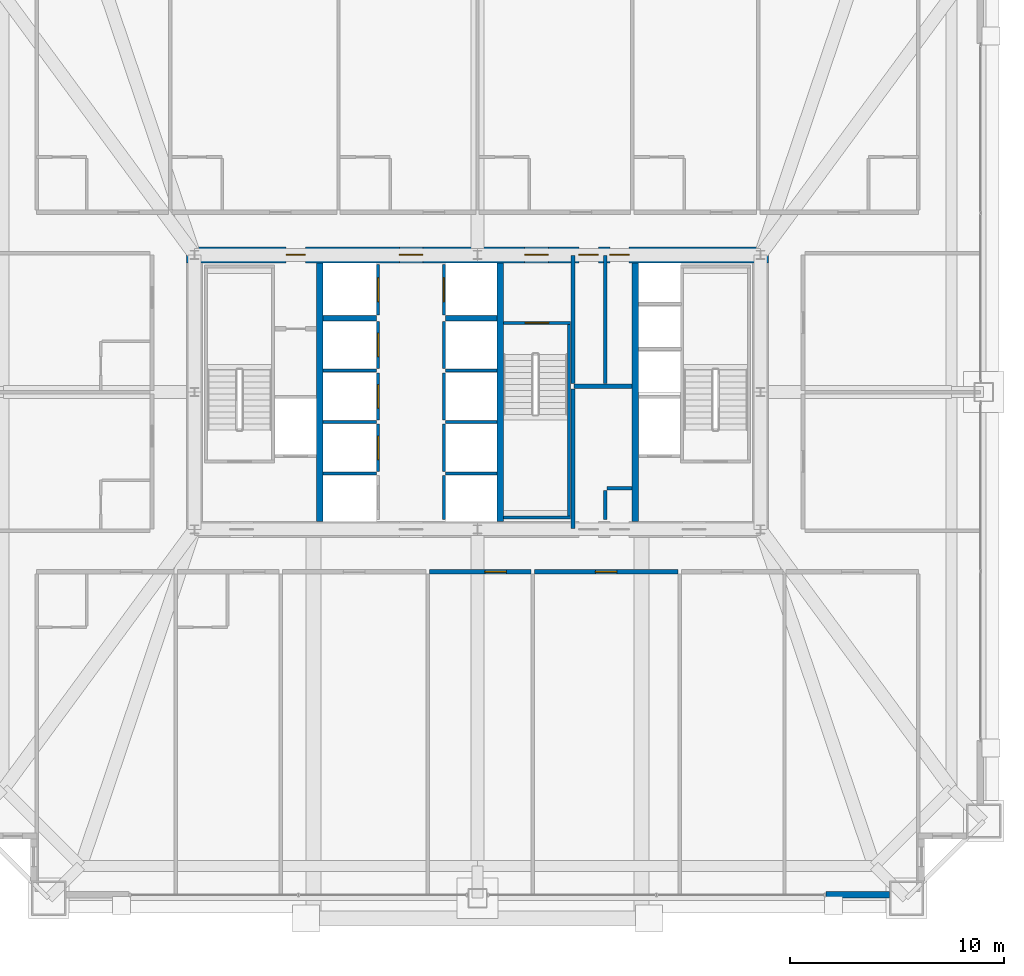
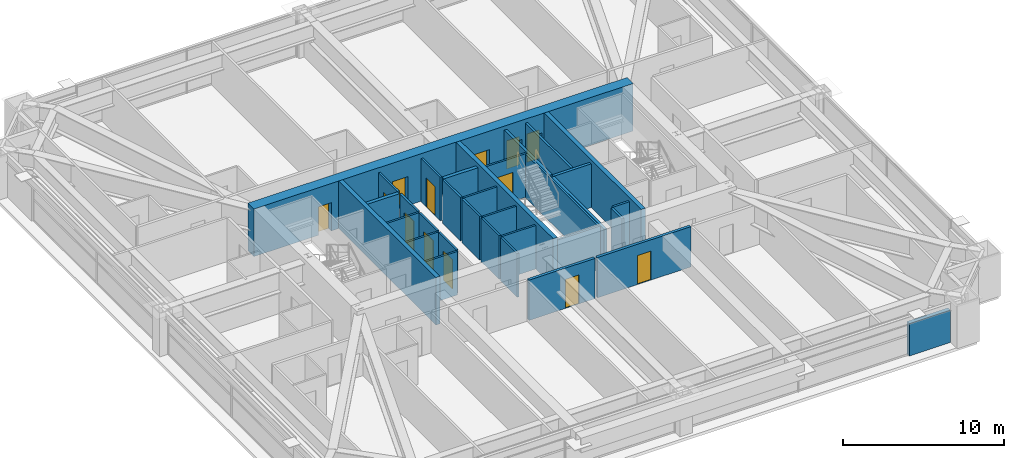
# One storey, part 42 of 45: 33 walls, 13 doors, 13 openings.
"""IFC4 building model written with IfcOpenShell, lengths in metres."""

from ifc_helpers import new_model, si_unit, direction, frame, frame_2d, origin, place, context, subcontext, project, spatial, rectangle, extrude, source, transform, mapped, material, layer, layer_set, type_object, element, fill, save


model = new_model("IFC4")

# Units and contexts
model_context = context("Model", 3, precision=1e-05, world=origin(), true_north=direction((0.0, 1.0)))
body_context = subcontext(model_context, "Body", "Model", "MODEL_VIEW")
ifc_project = project(units=[si_unit("LENGTHUNIT", "METRE"), si_unit("AREAUNIT", "SQUARE_METRE"), si_unit("VOLUMEUNIT", "CUBIC_METRE"), si_unit("PLANEANGLEUNIT", "RADIAN"), si_unit("MASSUNIT", "GRAM", prefix="KILO"), si_unit("THERMODYNAMICTEMPERATUREUNIT", "KELVIN"), si_unit("POWERUNIT", "WATT")], contexts=[model_context])

# Site, building, storey
site_placement = place(None, origin())
site = spatial("IfcSite", under=ifc_project, at=site_placement, CompositionType="ELEMENT")
building_placement = place(site_placement, origin())
building = spatial("IfcBuilding", under=site, at=building_placement, Name="Yuzanri Waterfront Tower", CompositionType="ELEMENT")
storey_placement = place(building_placement, frame((0.0, 0.0, 163.199951171875)))
storey = spatial("IfcBuildingStorey", under=building, at=storey_placement, Name="L43", CompositionType="ELEMENT", Elevation=163.199951171875)

# Wall, openings, doors
ifc_material_1 = material(Name="Concrete C55", Category="concrete")
ifc_layer_1 = layer(ifc_material_1, 0.75)
ifc_layer_set_1 = layer_set([ifc_layer_1], Name="Concrete C55")
wall_type_1 = type_object("IfcWallType", Name="Concrete C55 Low-Mid Zone Core Shear Wall 750", PredefinedType="SHEAR", material=ifc_layer_set_1)
wall_1_placement = place(storey_placement, frame((23.425048828125, 32.199951171875, 0.0), z_axis=(0.0, 0.0, 1.0), x_axis=(1.0, 0.0, 0.0)))
wall_1 = element("IfcWall", 1, at=wall_1_placement, inside=storey, type_object=wall_type_1, Name="L43 Core North Shear Wall", PredefinedType="SHEAR", context=body_context, shape_type="SweptSolid", body=[
    extrude(rectangle(XDim=27.14990234375, YDim=0.75, at=frame_2d((13.574951171875, 0.0))), origin(), (0.0, 0.0, 1.0), 3.60009765625),
])
opening_1_placement = place(wall_1_placement, frame((4.64501953125, 0.0, 0.0)))
opening_1 = element("IfcOpeningElement", 2, at=opening_1_placement, cuts=wall_1, Name="Opening FD-0900", PredefinedType="OPENING", context=body_context, shape_type="SweptSolid", body=[
    extrude(rectangle(XDim=0.89990234375, YDim=2.14990234375, at=frame_2d((0.449951171875, 1.074951171875))), frame((0.0, 0.389892578125, 0.0), z_axis=(0.0, -1.0, 0.0), x_axis=(1.0, 0.0, 0.0)), (0.0, 0.0, 1.0), 0.77978515625),
])
opening_2_placement = place(wall_1_placement, frame((9.925048828125, 0.0, 0.0)))
opening_2 = element("IfcOpeningElement", 3, at=opening_2_placement, cuts=wall_1, Name="Opening FD-1100", PredefinedType="OPENING", context=body_context, shape_type="SweptSolid", body=[
    extrude(rectangle(XDim=1.10009765625, YDim=2.199951171875, at=frame_2d((0.550048828125, 1.10009765625))), frame((0.0, 0.389892578125, 0.0), z_axis=(0.0, -1.0, 0.0), x_axis=(1.0, 0.0, 0.0)), (0.0, 0.0, 1.0), 0.77978515625),
])
opening_3_placement = place(wall_1_placement, frame((15.77490234375, 0.0, 0.0)))
opening_3 = element("IfcOpeningElement", 4, at=opening_3_placement, cuts=wall_1, Name="Opening FD-1100", PredefinedType="OPENING", context=body_context, shape_type="SweptSolid", body=[
    extrude(rectangle(XDim=1.10009765625, YDim=2.199951171875, at=frame_2d((0.550048828125, 1.10009765625))), frame((0.0, 0.389892578125, 0.0), z_axis=(0.0, -1.0, 0.0), x_axis=(1.0, 0.0, 0.0)), (0.0, 0.0, 1.0), 0.77978515625),
])
opening_4_placement = place(wall_1_placement, frame((18.304931640625, 0.0, 0.0)))
opening_4 = element("IfcOpeningElement", 5, at=opening_4_placement, cuts=wall_1, Name="Opening FD-0900", PredefinedType="OPENING", context=body_context, shape_type="SweptSolid", body=[
    extrude(rectangle(XDim=0.89990234375, YDim=2.14990234375, at=frame_2d((0.449951171875, 1.074951171875))), frame((0.0, 0.389892578125, 0.0), z_axis=(0.0, -1.0, 0.0), x_axis=(1.0, 0.0, 0.0)), (0.0, 0.0, 1.0), 0.77978515625),
])
opening_5_placement = place(wall_1_placement, frame((19.7451171875, 0.0, 0.0)))
opening_5 = element("IfcOpeningElement", 6, at=opening_5_placement, cuts=wall_1, Name="Opening FD-0900", PredefinedType="OPENING", context=body_context, shape_type="SweptSolid", body=[
    extrude(rectangle(XDim=0.89990234375, YDim=2.14990234375, at=frame_2d((0.449951171875, 1.074951171875))), frame((0.0, 0.389892578125, 0.0), z_axis=(0.0, -1.0, 0.0), x_axis=(1.0, 0.0, 0.0)), (0.0, 0.0, 1.0), 0.77978515625),
])
ifc_material_2 = material(Name="Painted Galvanized Fire Steel", Category="steel")
door_type_1 = type_object("IfcDoorType", Name="Smoke-Proof Stair and Lobby Fire Door 1100x2200", OperationType="NOTDEFINED", PredefinedType="DOOR", material=ifc_material_2)
shared_shape_1 = source(origin(), body_context, "Body", "SweptSolid", [
    extrude(rectangle(XDim=1.10009765625, YDim=2.199951171875, at=frame_2d((0.550048828125, 1.10009765625))), frame((0.0, 0.02490234375, 0.0), z_axis=(0.0, -1.0, 0.0), x_axis=(1.0, 0.0, 0.0)), (0.0, 0.0, 1.0), 0.050048828125),
])
door_1_placement = place(opening_2_placement, origin())
door_1 = element("IfcDoor", 7, at=door_1_placement, inside=storey, type_object=door_type_1, Name="L43 Central Lift Lobby North Door", OperationType="SINGLE_SWING_RIGHT", OverallHeight=2.199951171875, OverallWidth=1.10009765625, PredefinedType="DOOR", context=body_context, shape_type="MappedRepresentation", body=[
    mapped(shared_shape_1, transform((0.0, 0.0, 0.0), scale=1.0)),
])
fill(opening_2, door_1)
door_2_placement = place(opening_3_placement, origin())
door_2 = element("IfcDoor", 8, at=door_2_placement, inside=storey, type_object=door_type_1, Name="L43 North Stair Lobby Door", OperationType="SINGLE_SWING_LEFT", OverallHeight=2.199951171875, OverallWidth=1.10009765625, PredefinedType="DOOR", context=body_context, shape_type="MappedRepresentation", body=[
    mapped(shared_shape_1, transform((0.0, 0.0, 0.0), scale=1.0)),
])
fill(opening_3, door_2)
ifc_material_3 = material(Name="Painted Galvanized Fire Steel", Category="steel")
door_type_2 = type_object("IfcDoorType", Name="Riser and Service Room Fire Door 900x2150", OperationType="NOTDEFINED", PredefinedType="DOOR", material=ifc_material_3)
shared_shape_2 = source(origin(), body_context, "Body", "SweptSolid", [
    extrude(rectangle(XDim=0.89990234375, YDim=2.14990234375, at=frame_2d((0.449951171875, 1.074951171875))), frame((0.0, 0.02490234375, 0.0), z_axis=(0.0, -1.0, 0.0), x_axis=(1.0, 0.0, 0.0)), (0.0, 0.0, 1.0), 0.050048828125),
])
door_3_placement = place(opening_1_placement, origin())
door_3 = element("IfcDoor", 9, at=door_3_placement, inside=storey, type_object=door_type_2, Name="L43 Telecom Riser Door", OperationType="SINGLE_SWING_LEFT", OverallHeight=2.14990234375, OverallWidth=0.89990234375, PredefinedType="DOOR", context=body_context, shape_type="MappedRepresentation", body=[
    mapped(shared_shape_2, transform((0.0, 0.0, 0.0), scale=1.0)),
])
fill(opening_1, door_3)
door_4_placement = place(opening_4_placement, origin())
door_4 = element("IfcDoor", 10, at=door_4_placement, inside=storey, type_object=door_type_2, Name="L43 Common Store Room", OperationType="SINGLE_SWING_LEFT", OverallHeight=2.14990234375, OverallWidth=0.89990234375, PredefinedType="DOOR", context=body_context, shape_type="MappedRepresentation", body=[
    mapped(shared_shape_2, transform((0.0, 0.0, 0.0), scale=1.0)),
])
fill(opening_4, door_4)
door_5_placement = place(opening_5_placement, origin())
door_5 = element("IfcDoor", 11, at=door_5_placement, inside=storey, type_object=door_type_2, Name="L43 Linen Store Room", OperationType="SINGLE_SWING_RIGHT", OverallHeight=2.14990234375, OverallWidth=0.89990234375, PredefinedType="DOOR", context=body_context, shape_type="MappedRepresentation", body=[
    mapped(shared_shape_2, transform((0.0, 0.0, 0.0), scale=1.0)),
])
fill(opening_5, door_5)

# Wall, opening, door
ifc_material_4 = material(Name="Concrete C40", Category="concrete")
ifc_layer_2 = layer(ifc_material_4, 0.139892578125)
ifc_layer_set_2 = layer_set([ifc_layer_2], Name="Concrete C40")
wall_type_2 = type_object("IfcWallType", Name="Core Stair Liner and Hoistway Shaft Wall 140", PredefinedType="SOLIDWALL", material=ifc_layer_set_2)
wall_2_placement = place(storey_placement, frame((32.3701171875, 22.10009765625, 0.0), z_axis=(0.0, 0.0, 1.0), x_axis=(0.0, 1.0, 0.0)))
wall_2 = element("IfcWall", 12, at=wall_2_placement, inside=storey, type_object=wall_type_2, Name="L43 Lift PL-02 Front Shaft Wall", PredefinedType="SOLIDWALL", context=body_context, shape_type="SweptSolid", body=[
    extrude(rectangle(XDim=2.199951171875, YDim=0.139892578125, at=frame_2d((1.10009765625, 0.0))), origin(), (0.0, 0.0, 1.0), 3.300048828125),
])
opening_6_placement = place(wall_2_placement, frame((0.550048828125, 0.0, 0.0)))
opening_6 = element("IfcOpeningElement", 13, at=opening_6_placement, cuts=wall_2, Name="Opening LD-PL-02", PredefinedType="OPENING", context=body_context, shape_type="SweptSolid", body=[
    extrude(rectangle(XDim=1.10009765625, YDim=2.199951171875, at=frame_2d((0.550048828125, 1.10009765625))), frame((0.0, 0.0849609375, 0.0), z_axis=(0.0, -1.0, 0.0), x_axis=(1.0, 0.0, 0.0)), (0.0, 0.0, 1.0), 0.169677734375),
])
ifc_material_5 = material(Name="Brushed Bronze and Stainless Steel Cab", Category="steel")
door_type_3 = type_object("IfcDoorType", Name="Center-Parting Bronze Lift Landing Sliding Door 1100x2200", OperationType="NOTDEFINED", PredefinedType="DOOR", material=ifc_material_5)
shared_shape_3 = source(origin(), body_context, "Body", "SweptSolid", [
    extrude(rectangle(XDim=1.10009765625, YDim=2.199951171875, at=frame_2d((0.550048828125, 1.10009765625))), frame((0.0, 0.02490234375, 0.0), z_axis=(0.0, -1.0, 0.0), x_axis=(1.0, 0.0, 0.0)), (0.0, 0.0, 1.0), 0.050048828125),
])
door_6_placement = place(opening_6_placement, origin())
door_6 = element("IfcDoor", 14, at=door_6_placement, inside=storey, type_object=door_type_3, Name="L43 PL-02 Lift Landing Sliding Door", OperationType="SLIDING_TO_RIGHT", OverallHeight=2.199951171875, OverallWidth=1.10009765625, PredefinedType="DOOR", context=body_context, shape_type="MappedRepresentation", body=[
    mapped(shared_shape_3, transform((0.0, 0.0, 0.0), scale=1.0)),
])
fill(opening_6, door_6)

wall_3_placement = place(storey_placement, frame((32.3701171875, 24.5, 0.0), z_axis=(0.0, 0.0, 1.0), x_axis=(0.0, 1.0, 0.0)))
wall_3 = element("IfcWall", 15, at=wall_3_placement, inside=storey, type_object=wall_type_2, Name="L43 Lift PL-03 Front Shaft Wall", PredefinedType="SOLIDWALL", context=body_context, shape_type="SweptSolid", body=[
    extrude(rectangle(XDim=2.199951171875, YDim=0.139892578125, at=frame_2d((1.10009765625, 0.0))), origin(), (0.0, 0.0, 1.0), 3.300048828125),
])
opening_7_placement = place(wall_3_placement, frame((0.550048828125, 0.0, 0.0)))
opening_7 = element("IfcOpeningElement", 16, at=opening_7_placement, cuts=wall_3, Name="Opening LD-PL-03", PredefinedType="OPENING", context=body_context, shape_type="SweptSolid", body=[
    extrude(rectangle(XDim=1.10009765625, YDim=2.199951171875, at=frame_2d((0.550048828125, 1.10009765625))), frame((0.0, 0.0849609375, 0.0), z_axis=(0.0, -1.0, 0.0), x_axis=(1.0, 0.0, 0.0)), (0.0, 0.0, 1.0), 0.169677734375),
])
door_7_placement = place(opening_7_placement, origin())
door_7 = element("IfcDoor", 17, at=door_7_placement, inside=storey, type_object=door_type_3, Name="L43 PL-03 Lift Landing Sliding Door", OperationType="SLIDING_TO_LEFT", OverallHeight=2.199951171875, OverallWidth=1.10009765625, PredefinedType="DOOR", context=body_context, shape_type="MappedRepresentation", body=[
    mapped(shared_shape_3, transform((0.0, 0.0, 0.0), scale=1.0)),
])
fill(opening_7, door_7)

wall_4_placement = place(storey_placement, frame((32.3701171875, 26.89990234375, 0.0), z_axis=(0.0, 0.0, 1.0), x_axis=(0.0, 1.0, 0.0)))
wall_4 = element("IfcWall", 18, at=wall_4_placement, inside=storey, type_object=wall_type_2, Name="L43 Lift PL-04 Front Shaft Wall", PredefinedType="SOLIDWALL", context=body_context, shape_type="SweptSolid", body=[
    extrude(rectangle(XDim=2.2001953125, YDim=0.139892578125, at=frame_2d((1.10009765625, 0.0))), origin(), (0.0, 0.0, 1.0), 3.300048828125),
])
opening_8_placement = place(wall_4_placement, frame((0.550048828125, 0.0, 0.0)))
opening_8 = element("IfcOpeningElement", 19, at=opening_8_placement, cuts=wall_4, Name="Opening LD-PL-04", PredefinedType="OPENING", context=body_context, shape_type="SweptSolid", body=[
    extrude(rectangle(XDim=1.10009765625, YDim=2.199951171875, at=frame_2d((0.550048828125, 1.10009765625))), frame((0.0, 0.0849609375, 0.0), z_axis=(0.0, -1.0, 0.0), x_axis=(1.0, 0.0, 0.0)), (0.0, 0.0, 1.0), 0.169677734375),
])
door_8_placement = place(opening_8_placement, origin())
door_8 = element("IfcDoor", 20, at=door_8_placement, inside=storey, type_object=door_type_3, Name="L43 PL-04 Lift Landing Sliding Door", OperationType="SLIDING_TO_RIGHT", OverallHeight=2.199951171875, OverallWidth=1.10009765625, PredefinedType="DOOR", context=body_context, shape_type="MappedRepresentation", body=[
    mapped(shared_shape_3, transform((0.0, 0.0, 0.0), scale=1.0)),
])
fill(opening_8, door_8)

wall_5_placement = place(storey_placement, frame((32.3701171875, 29.39990234375, 0.0), z_axis=(0.0, 0.0, 1.0), x_axis=(0.0, 1.0, 0.0)))
wall_5 = element("IfcWall", 21, at=wall_5_placement, inside=storey, type_object=wall_type_2, Name="L43 Lift SL-01 Front Shaft Wall", PredefinedType="SOLIDWALL", context=body_context, shape_type="SweptSolid", body=[
    extrude(rectangle(XDim=2.340087890625, YDim=0.139892578125, at=frame_2d((1.169921875, 0.0))), origin(), (0.0, 0.0, 1.0), 3.300048828125),
])
opening_9_placement = place(wall_5_placement, frame((0.6201171875, 0.0, 0.0)))
opening_9 = element("IfcOpeningElement", 22, at=opening_9_placement, cuts=wall_5, Name="Opening LD-SL-01", PredefinedType="OPENING", context=body_context, shape_type="SweptSolid", body=[
    extrude(rectangle(XDim=1.10009765625, YDim=2.199951171875, at=frame_2d((0.550048828125, 1.10009765625))), frame((0.0, 0.0849609375, 0.0), z_axis=(0.0, -1.0, 0.0), x_axis=(1.0, 0.0, 0.0)), (0.0, 0.0, 1.0), 0.169677734375),
])
door_9_placement = place(opening_9_placement, origin())
door_9 = element("IfcDoor", 23, at=door_9_placement, inside=storey, type_object=door_type_3, Name="L43 SL-01 Lift Landing Sliding Door", OperationType="SLIDING_TO_LEFT", OverallHeight=2.199951171875, OverallWidth=1.10009765625, PredefinedType="DOOR", context=body_context, shape_type="MappedRepresentation", body=[
    mapped(shared_shape_3, transform((0.0, 0.0, 0.0), scale=1.0)),
])
fill(opening_9, door_9)

wall_6_placement = place(storey_placement, frame((35.429931640625, 29.39990234375, 0.0), z_axis=(0.0, 0.0, 1.0), x_axis=(0.0, 1.0, 0.0)))
wall_6 = element("IfcWall", 24, at=wall_6_placement, inside=storey, type_object=wall_type_2, Name="L43 Lift SL-02 Front Shaft Wall", PredefinedType="SOLIDWALL", context=body_context, shape_type="SweptSolid", body=[
    extrude(rectangle(XDim=2.340087890625, YDim=0.139892578125, at=frame_2d((1.169921875, 0.0))), origin(), (0.0, 0.0, 1.0), 3.300048828125),
])
opening_10_placement = place(wall_6_placement, frame((0.6201171875, 0.0, 0.0)))
opening_10 = element("IfcOpeningElement", 25, at=opening_10_placement, cuts=wall_6, Name="Opening LD-SL-02", PredefinedType="OPENING", context=body_context, shape_type="SweptSolid", body=[
    extrude(rectangle(XDim=1.10009765625, YDim=2.199951171875, at=frame_2d((0.550048828125, 1.10009765625))), frame((0.0, 0.0849609375, 0.0), z_axis=(0.0, -1.0, 0.0), x_axis=(1.0, 0.0, 0.0)), (0.0, 0.0, 1.0), 0.169677734375),
])
door_10_placement = place(opening_10_placement, origin())
door_10 = element("IfcDoor", 26, at=door_10_placement, inside=storey, type_object=door_type_3, Name="L43 SL-02 Lift Landing Sliding Door", OperationType="SLIDING_TO_RIGHT", OverallHeight=2.199951171875, OverallWidth=1.10009765625, PredefinedType="DOOR", context=body_context, shape_type="MappedRepresentation", body=[
    mapped(shared_shape_3, transform((0.0, 0.0, 0.0), scale=1.0)),
])
fill(opening_10, door_10)

wall_7_placement = place(storey_placement, frame((38.199951171875, 29.030029296875, 0.0), z_axis=(0.0, 0.0, 1.0), x_axis=(1.0, 0.0, 0.0)))
wall_7 = element("IfcWall", 27, at=wall_7_placement, inside=storey, type_object=wall_type_2, Name="L43 Shaft Wall STW-L43-ST-03-N", PredefinedType="SOLIDWALL", context=body_context, shape_type="SweptSolid", body=[
    extrude(rectangle(XDim=3.14013671875, YDim=0.139892578125, at=frame_2d((1.570068359375, 0.0))), origin(), (0.0, 0.0, 1.0), 3.300048828125),
])
opening_11_placement = place(wall_7_placement, frame((1.02001953125, 0.0, 0.0)))
opening_11 = element("IfcOpeningElement", 28, at=opening_11_placement, cuts=wall_7, Name="Opening FD-1100", PredefinedType="OPENING", context=body_context, shape_type="SweptSolid", body=[
    extrude(rectangle(XDim=1.10009765625, YDim=2.199951171875, at=frame_2d((0.550048828125, 1.10009765625))), frame((0.0, 0.0849609375, 0.0), z_axis=(0.0, -1.0, 0.0), x_axis=(1.0, 0.0, 0.0)), (0.0, 0.0, 1.0), 0.169677734375),
])
door_11_placement = place(opening_11_placement, origin())
door_11 = element("IfcDoor", 29, at=door_11_placement, inside=storey, type_object=door_type_1, Name="L43 Stair ST-03 Fire Door", OperationType="SINGLE_SWING_LEFT", OverallHeight=2.199951171875, OverallWidth=1.10009765625, PredefinedType="DOOR", context=body_context, shape_type="MappedRepresentation", body=[
    mapped(shared_shape_1, transform((0.0, 0.0, 0.0), scale=1.0)),
])
fill(opening_11, door_11)

ifc_material_6 = material(Name="Autoclaved Aerated Concrete Blockwork", Category="masonry")
ifc_layer_3 = layer(ifc_material_6, 0.199951171875)
ifc_layer_set_3 = layer_set([ifc_layer_3], Name="Autoclaved Aerated Concrete Blockwork")
wall_type_3 = type_object("IfcWallType", Name="Corridor and Unit Party Fire Wall 200", PredefinedType="PARTITIONING", material=ifc_layer_set_3)
wall_8_placement = place(storey_placement, frame((34.760009765625, 17.419921875, 0.0), z_axis=(0.0, 0.0, 1.0), x_axis=(1.0, 0.0, 0.0)))
wall_8 = element("IfcWall", 30, at=wall_8_placement, inside=storey, type_object=wall_type_3, Name="L43 Partition UW-L43-S4-CN", PredefinedType="PARTITIONING", context=body_context, shape_type="SweptSolid", body=[
    extrude(rectangle(XDim=4.72705078125, YDim=0.199951171875, at=frame_2d((2.363525390625, 0.0))), origin(), (0.0, 0.0, 1.0), 3.050048828125),
])
opening_12_placement = place(wall_8_placement, frame((2.58349609375, 0.0, 0.0)))
opening_12 = element("IfcOpeningElement", 31, at=opening_12_placement, cuts=wall_8, Name="Opening FD-1000", PredefinedType="OPENING", context=body_context, shape_type="SweptSolid", body=[
    extrude(rectangle(XDim=1.0, YDim=2.199951171875, at=frame_2d((0.5, 1.10009765625))), frame((0.0, 0.11474609375, 0.0), z_axis=(0.0, -1.0, 0.0), x_axis=(1.0, 0.0, 0.0)), (0.0, 0.0, 1.0), 0.229736328125),
])
ifc_material_7 = material(Name="Engineered Oak Fire-Rated Timber", Category="wood")
door_type_4 = type_object("IfcDoorType", Name="Guestroom and Apartment Entrance Fire Door 1000x2200", OperationType="NOTDEFINED", PredefinedType="DOOR", material=ifc_material_7)
shared_shape_4 = source(origin(), body_context, "Body", "SweptSolid", [
    extrude(rectangle(XDim=1.0, YDim=2.199951171875, at=frame_2d((0.5, 1.10009765625))), frame((0.0, 0.02490234375, 0.0), z_axis=(0.0, -1.0, 0.0), x_axis=(1.0, 0.0, 0.0)), (0.0, 0.0, 1.0), 0.050048828125),
])
door_12_placement = place(opening_12_placement, origin())
door_12 = element("IfcDoor", 32, at=door_12_placement, inside=storey, type_object=door_type_4, Name="L43 Chamber Music Room Entrance Door", OperationType="SINGLE_SWING_RIGHT", OverallHeight=2.199951171875, OverallWidth=1.0, PredefinedType="DOOR", context=body_context, shape_type="MappedRepresentation", body=[
    mapped(shared_shape_4, transform((0.0, 0.0, 0.0), scale=1.0)),
])
fill(opening_12, door_12)

wall_9_placement = place(storey_placement, frame((39.64697265625, 17.419921875, 0.0), z_axis=(0.0, 0.0, 1.0), x_axis=(1.0, 0.0, 0.0)))
wall_9 = element("IfcWall", 33, at=wall_9_placement, inside=storey, type_object=wall_type_3, Name="L43 Partition UW-L43-S5-CN", PredefinedType="PARTITIONING", context=body_context, shape_type="SweptSolid", body=[
    extrude(rectangle(XDim=6.700927734375, YDim=0.199951171875, at=frame_2d((3.3505859375, 0.0))), origin(), (0.0, 0.0, 1.0), 3.050048828125),
])
opening_13_placement = place(wall_9_placement, frame((2.85107421875, 0.0, 0.0)))
opening_13 = element("IfcOpeningElement", 34, at=opening_13_placement, cuts=wall_9, Name="Opening FD-1000", PredefinedType="OPENING", context=body_context, shape_type="SweptSolid", body=[
    extrude(rectangle(XDim=1.0, YDim=2.199951171875, at=frame_2d((0.5, 1.10009765625))), frame((0.0, 0.11474609375, 0.0), z_axis=(0.0, -1.0, 0.0), x_axis=(1.0, 0.0, 0.0)), (0.0, 0.0, 1.0), 0.229736328125),
])
door_13_placement = place(opening_13_placement, origin())
door_13 = element("IfcDoor", 35, at=door_13_placement, inside=storey, type_object=door_type_4, Name="L43 Riverfront Art Gallery Entrance Door", OperationType="SINGLE_SWING_LEFT", OverallHeight=2.199951171875, OverallWidth=1.0, PredefinedType="DOOR", context=body_context, shape_type="MappedRepresentation", body=[
    mapped(shared_shape_4, transform((0.0, 0.0, 0.0), scale=1.0)),
])
fill(opening_13, door_13)

# Walls
ifc_material_8 = material(Name="Concrete C50", Category="concrete")
ifc_layer_4 = layer(ifc_material_8, 0.300048828125)
ifc_layer_set_4 = layer_set([ifc_layer_4], Name="Concrete C50")
wall_type_4 = type_object("IfcWallType", Name="Concrete C50 Internal Core Shaft Structural Wall 300", PredefinedType="SOLIDWALL", material=ifc_layer_set_4)
shared_shape_5 = source(origin(), body_context, "Body", "SweptSolid", [
    extrude(rectangle(XDim=12.050048828125, YDim=0.300048828125, at=frame_2d((6.02490234375, 0.0))), origin(), (0.0, 0.0, 1.0), 3.60009765625),
])
for number, where, z_axis, x_axis, name in (
    (36, (29.64990234375, 19.77490234375, 0.0), (0.0, 0.0, 1.0), (0.0, 1.0, 0.0), "L43 Core Internal Structural Web Wall 1"),
    (37, (38.050048828125, 19.77490234375, 0.0), (0.0, 0.0, 1.0), (0.0, 1.0, 0.0), "L43 Core Internal Structural Web Wall 2"),
    (38, (44.35009765625, 19.77490234375, 0.0), (0.0, 0.0, 1.0), (0.0, 1.0, 0.0), "L43 Core Internal Structural Web Wall 3"),
):
    element("IfcWall", number, at=place(storey_placement, frame(where, z_axis=z_axis, x_axis=x_axis)), inside=storey, type_object=wall_type_4, Name=name, PredefinedType="SOLIDWALL", context=body_context, shape_type="MappedRepresentation", body=[
        mapped(shared_shape_5, transform((0.0, 0.0, 0.0), scale=1.0)),
    ])
ifc_material_9 = material(Name="Honed Chongqing Dark Basalt Stone", Category="masonry")
ifc_layer_5 = layer(ifc_material_9, 0.300048828125)
ifc_layer_set_5 = layer_set([ifc_layer_5], Name="Honed Chongqing Dark Basalt Stone")
wall_type_5 = type_object("IfcWallType", Name="Bronze Rainscreen Insulated Spandrel Portal Wall 300", PredefinedType="SOLIDWALL", material=ifc_layer_set_5)
shared_shape_6 = source(origin(), body_context, "Body", "SweptSolid", [
    extrude(rectangle(XDim=2.949951171875, YDim=0.300048828125, at=frame_2d((1.47509765625, 0.0))), origin(), (0.0, 0.0, 1.0), 2.445068359375),
])
wall_10_placement = place(storey_placement, frame((53.25, 2.35009765625, 0.0), z_axis=(0.0, 0.0, 1.0), x_axis=(1.0, 0.0, 0.0)))
element("IfcWall", 39, at=wall_10_placement, inside=storey, type_object=wall_type_5, Name="L43 S Right Braced Masonry Shoulder", PredefinedType="SOLIDWALL", context=body_context, shape_type="MappedRepresentation", body=[
    mapped(shared_shape_6, transform((0.0, 0.0, 0.0), scale=1.0)),
])
shared_shape_7 = source(origin(), body_context, "Body", "SweptSolid", [
    extrude(rectangle(XDim=2.5, YDim=0.139892578125, at=frame_2d((1.25, 0.0))), origin(), (0.0, 0.0, 1.0), 3.300048828125),
])
for number, where, z_axis, x_axis, name in (
    (40, (29.800048828125, 22.0, 0.0), (0.0, 0.0, 1.0), (1.0, 0.0, 0.0), "L43 Lift PL-01 Divider Wall"),
    (41, (29.800048828125, 24.39990234375, 0.0), (0.0, 0.0, 1.0), (1.0, 0.0, 0.0), "L43 Lift PL-02 Divider Wall"),
    (42, (29.800048828125, 26.800048828125, 0.0), (0.0, 0.0, 1.0), (1.0, 0.0, 0.0), "L43 Lift PL-03 Divider Wall"),
):
    element("IfcWall", number, at=place(storey_placement, frame(where, z_axis=z_axis, x_axis=x_axis)), inside=storey, type_object=wall_type_2, Name=name, PredefinedType="SOLIDWALL", context=body_context, shape_type="MappedRepresentation", body=[
        mapped(shared_shape_7, transform((0.0, 0.0, 0.0), scale=1.0)),
    ])
ifc_material_10 = material(Name="Concrete C40", Category="concrete")
ifc_layer_6 = layer(ifc_material_10, 0.25)
ifc_layer_set_6 = layer_set([ifc_layer_6], Name="Concrete C40")
wall_type_6 = type_object("IfcWallType", Name="Smoke-Proof Stair and Lift Shaft Wall 250", PredefinedType="SOLIDWALL", material=ifc_layer_set_6)
shared_shape_8 = source(origin(), body_context, "Body", "SweptSolid", [
    extrude(rectangle(XDim=2.5, YDim=0.25, at=frame_2d((1.25, 0.0))), origin(), (0.0, 0.0, 1.0), 3.300048828125),
])
wall_11_placement = place(storey_placement, frame((29.800048828125, 29.25, 0.0), z_axis=(0.0, 0.0, 1.0), x_axis=(1.0, 0.0, 0.0)))
element("IfcWall", 43, at=wall_11_placement, inside=storey, type_object=wall_type_6, Name="L43 Lift SL-01 South Shaft Wall", PredefinedType="SOLIDWALL", context=body_context, shape_type="MappedRepresentation", body=[
    mapped(shared_shape_8, transform((0.0, 0.0, 0.0), scale=1.0)),
])
shared_shape_9 = source(origin(), body_context, "Body", "SweptSolid", [
    extrude(rectangle(XDim=2.039794921875, YDim=0.139892578125, at=frame_2d((1.02001953125, 0.0))), origin(), (0.0, 0.0, 1.0), 3.300048828125),
])
wall_12_placement = place(storey_placement, frame((35.429931640625, 19.860107421875, 0.0), z_axis=(0.0, 0.0, 1.0), x_axis=(0.0, 1.0, 0.0)))
element("IfcWall", 44, at=wall_12_placement, inside=storey, type_object=wall_type_2, Name="L43 Lift PL-05 Front Shaft Wall", PredefinedType="SOLIDWALL", context=body_context, shape_type="MappedRepresentation", body=[
    mapped(shared_shape_9, transform((0.0, 0.0, 0.0), scale=1.0)),
])
shared_shape_10 = source(origin(), body_context, "Body", "SweptSolid", [
    extrude(rectangle(XDim=2.39990234375, YDim=0.139892578125, at=frame_2d((1.199951171875, 0.0))), origin(), (0.0, 0.0, 1.0), 3.300048828125),
])
for number, where, z_axis, x_axis, name in (
    (45, (35.5, 22.0, 0.0), (0.0, 0.0, 1.0), (1.0, 0.0, 0.0), "L43 Lift PL-05 Divider Wall"),
    (46, (35.5, 24.39990234375, 0.0), (0.0, 0.0, 1.0), (1.0, 0.0, 0.0), "L43 Lift PL-06 Divider Wall"),
    (47, (35.5, 26.800048828125, 0.0), (0.0, 0.0, 1.0), (1.0, 0.0, 0.0), "L43 Lift PL-07 Divider Wall"),
):
    element("IfcWall", number, at=place(storey_placement, frame(where, z_axis=z_axis, x_axis=x_axis)), inside=storey, type_object=wall_type_2, Name=name, PredefinedType="SOLIDWALL", context=body_context, shape_type="MappedRepresentation", body=[
        mapped(shared_shape_10, transform((0.0, 0.0, 0.0), scale=1.0)),
    ])
shared_shape_11 = source(origin(), body_context, "Body", "SweptSolid", [
    extrude(rectangle(XDim=2.199951171875, YDim=0.139892578125, at=frame_2d((1.10009765625, 0.0))), origin(), (0.0, 0.0, 1.0), 3.300048828125),
])
for number, where, z_axis, x_axis, name in (
    (48, (35.429931640625, 22.10009765625, 0.0), (0.0, 0.0, 1.0), (0.0, 1.0, 0.0), "L43 Lift PL-06 Front Shaft Wall"),
    (49, (35.429931640625, 24.5, 0.0), (0.0, 0.0, 1.0), (0.0, 1.0, 0.0), "L43 Lift PL-07 Front Shaft Wall"),
):
    element("IfcWall", number, at=place(storey_placement, frame(where, z_axis=z_axis, x_axis=x_axis)), inside=storey, type_object=wall_type_2, Name=name, PredefinedType="SOLIDWALL", context=body_context, shape_type="MappedRepresentation", body=[
        mapped(shared_shape_11, transform((0.0, 0.0, 0.0), scale=1.0)),
    ])
shared_shape_12 = source(origin(), body_context, "Body", "SweptSolid", [
    extrude(rectangle(XDim=2.2001953125, YDim=0.139892578125, at=frame_2d((1.10009765625, 0.0))), origin(), (0.0, 0.0, 1.0), 3.300048828125),
])
wall_13_placement = place(storey_placement, frame((35.429931640625, 26.89990234375, 0.0), z_axis=(0.0, 0.0, 1.0), x_axis=(0.0, 1.0, 0.0)))
element("IfcWall", 50, at=wall_13_placement, inside=storey, type_object=wall_type_2, Name="L43 Lift PL-08 Front Shaft Wall", PredefinedType="SOLIDWALL", context=body_context, shape_type="MappedRepresentation", body=[
    mapped(shared_shape_12, transform((0.0, 0.0, 0.0), scale=1.0)),
])
shared_shape_13 = source(origin(), body_context, "Body", "SweptSolid", [
    extrude(rectangle(XDim=2.39990234375, YDim=0.25, at=frame_2d((1.199951171875, 0.0))), origin(), (0.0, 0.0, 1.0), 3.300048828125),
])
wall_14_placement = place(storey_placement, frame((35.5, 29.25, 0.0), z_axis=(0.0, 0.0, 1.0), x_axis=(1.0, 0.0, 0.0)))
element("IfcWall", 51, at=wall_14_placement, inside=storey, type_object=wall_type_6, Name="L43 Lift SL-02 South Shaft Wall", PredefinedType="SOLIDWALL", context=body_context, shape_type="MappedRepresentation", body=[
    mapped(shared_shape_13, transform((0.0, 0.0, 0.0), scale=1.0)),
])
shared_shape_14 = source(origin(), body_context, "Body", "SweptSolid", [
    extrude(rectangle(XDim=3.14013671875, YDim=0.139892578125, at=frame_2d((1.570068359375, 0.0))), origin(), (0.0, 0.0, 1.0), 3.300048828125),
])
wall_15_placement = place(storey_placement, frame((38.199951171875, 19.949951171875, 0.0), z_axis=(0.0, 0.0, 1.0), x_axis=(1.0, 0.0, 0.0)))
element("IfcWall", 52, at=wall_15_placement, inside=storey, type_object=wall_type_2, Name="L43 Stair ST-03 South Shaft Wall", PredefinedType="SOLIDWALL", context=body_context, shape_type="MappedRepresentation", body=[
    mapped(shared_shape_14, transform((0.0, 0.0, 0.0), scale=1.0)),
])
shared_shape_15 = source(origin(), body_context, "Body", "SweptSolid", [
    extrude(rectangle(XDim=8.93994140625, YDim=0.139892578125, at=frame_2d((4.469970703125, 0.0))), origin(), (0.0, 0.0, 1.0), 3.300048828125),
])
wall_16_placement = place(storey_placement, frame((41.27001953125, 20.02001953125, 0.0), z_axis=(0.0, 0.0, 1.0), x_axis=(0.0, 1.0, 0.0)))
element("IfcWall", 53, at=wall_16_placement, inside=storey, type_object=wall_type_2, Name="L43 Stair ST-03 East Shaft Wall", PredefinedType="SOLIDWALL", context=body_context, shape_type="MappedRepresentation", body=[
    mapped(shared_shape_15, transform((0.0, 0.0, 0.0), scale=1.0)),
])
ifc_material_11 = material(Name="Gypsum Fireboard Acoustic Stud Wall", Category="gypsum")
ifc_layer_7 = layer(ifc_material_11, 0.159912109375)
ifc_layer_set_7 = layer_set([ifc_layer_7], Name="Gypsum Fireboard Acoustic Stud Wall")
wall_type_7 = type_object("IfcWallType", Name="Acoustic Suite Demising Partition 160", PredefinedType="PARTITIONING", material=ifc_layer_set_7)
shared_shape_16 = source(origin(), body_context, "Body", "SweptSolid", [
    extrude(rectangle(XDim=1.33984375, YDim=0.159912109375, at=frame_2d((0.669921875, 0.0))), origin(), (0.0, 0.0, 1.0), 3.300048828125),
])
wall_17_placement = place(storey_placement, frame((42.949951171875, 19.860107421875, 0.0), z_axis=(0.0, 0.0, 1.0), x_axis=(0.0, 1.0, 0.0)))
element("IfcWall", 54, at=wall_17_placement, inside=storey, type_object=wall_type_7, Name="L43 East Wet Riser West Wall", PredefinedType="PARTITIONING", context=body_context, shape_type="MappedRepresentation", body=[
    mapped(shared_shape_16, transform((0.0, 0.0, 0.0), scale=1.0)),
])
shared_shape_17 = source(origin(), body_context, "Body", "SweptSolid", [
    extrude(rectangle(XDim=1.169921875, YDim=0.159912109375, at=frame_2d((0.5849609375, 0.0))), origin(), (0.0, 0.0, 1.0), 3.300048828125),
])
wall_18_placement = place(storey_placement, frame((43.030029296875, 21.320068359375, 0.0), z_axis=(0.0, 0.0, 1.0), x_axis=(1.0, 0.0, 0.0)))
element("IfcWall", 55, at=wall_18_placement, inside=storey, type_object=wall_type_7, Name="L43 East Wet Riser North Wall", PredefinedType="PARTITIONING", context=body_context, shape_type="MappedRepresentation", body=[
    mapped(shared_shape_17, transform((0.0, 0.0, 0.0), scale=1.0)),
])
shared_shape_18 = source(origin(), body_context, "Body", "SweptSolid", [
    extrude(rectangle(XDim=6.510009765625, YDim=0.199951171875, at=frame_2d((3.2548828125, 0.0))), origin(), (0.0, 0.0, 1.0), 3.300048828125),
])
wall_19_placement = place(storey_placement, frame((41.449951171875, 19.43994140625, 0.0), z_axis=(0.0, 0.0, 1.0), x_axis=(0.0, 1.0, 0.0)))
element("IfcWall", 56, at=wall_19_placement, inside=storey, type_object=wall_type_3, Name="L43 Core BOH West Wall 1", PredefinedType="PARTITIONING", context=body_context, shape_type="MappedRepresentation", body=[
    mapped(shared_shape_18, transform((0.0, 0.0, 0.0), scale=1.0)),
])
shared_shape_19 = source(origin(), body_context, "Body", "SweptSolid", [
    extrude(rectangle(XDim=2.699951171875, YDim=0.199951171875, at=frame_2d((1.35009765625, 0.0))), origin(), (0.0, 0.0, 1.0), 3.300048828125),
])
wall_20_placement = place(storey_placement, frame((41.5, 26.070068359375, 0.0), z_axis=(0.0, 0.0, 1.0), x_axis=(1.0, 0.0, 0.0)))
element("IfcWall", 57, at=wall_20_placement, inside=storey, type_object=wall_type_3, Name="L43 Core BOH Split Wall 1", PredefinedType="PARTITIONING", context=body_context, shape_type="MappedRepresentation", body=[
    mapped(shared_shape_19, transform((0.0, 0.0, 0.0), scale=1.0)),
])
shared_shape_20 = source(origin(), body_context, "Body", "SweptSolid", [
    extrude(rectangle(XDim=5.9599609375, YDim=0.199951171875, at=frame_2d((2.97998046875, 0.0))), origin(), (0.0, 0.0, 1.0), 3.300048828125),
])
wall_21_placement = place(storey_placement, frame((41.449951171875, 26.199951171875, 0.0), z_axis=(0.0, 0.0, 1.0), x_axis=(0.0, 1.0, 0.0)))
element("IfcWall", 58, at=wall_21_placement, inside=storey, type_object=wall_type_3, Name="L43 Core BOH West Wall 2", PredefinedType="PARTITIONING", context=body_context, shape_type="MappedRepresentation", body=[
    mapped(shared_shape_20, transform((0.0, 0.0, 0.0), scale=1.0)),
])
shared_shape_21 = source(origin(), body_context, "Body", "SweptSolid", [
    extrude(rectangle(XDim=5.9599609375, YDim=0.159912109375, at=frame_2d((2.97998046875, 0.0))), origin(), (0.0, 0.0, 1.0), 3.300048828125),
])
wall_22_placement = place(storey_placement, frame((42.949951171875, 26.199951171875, 0.0), z_axis=(0.0, 0.0, 1.0), x_axis=(0.0, 1.0, 0.0)))
element("IfcWall", 59, at=wall_22_placement, inside=storey, type_object=wall_type_7, Name="L43 Core BOH Mid Wall 3", PredefinedType="PARTITIONING", context=body_context, shape_type="MappedRepresentation", body=[
    mapped(shared_shape_21, transform((0.0, 0.0, 0.0), scale=1.0)),
])

save(model, "model.ifc")
